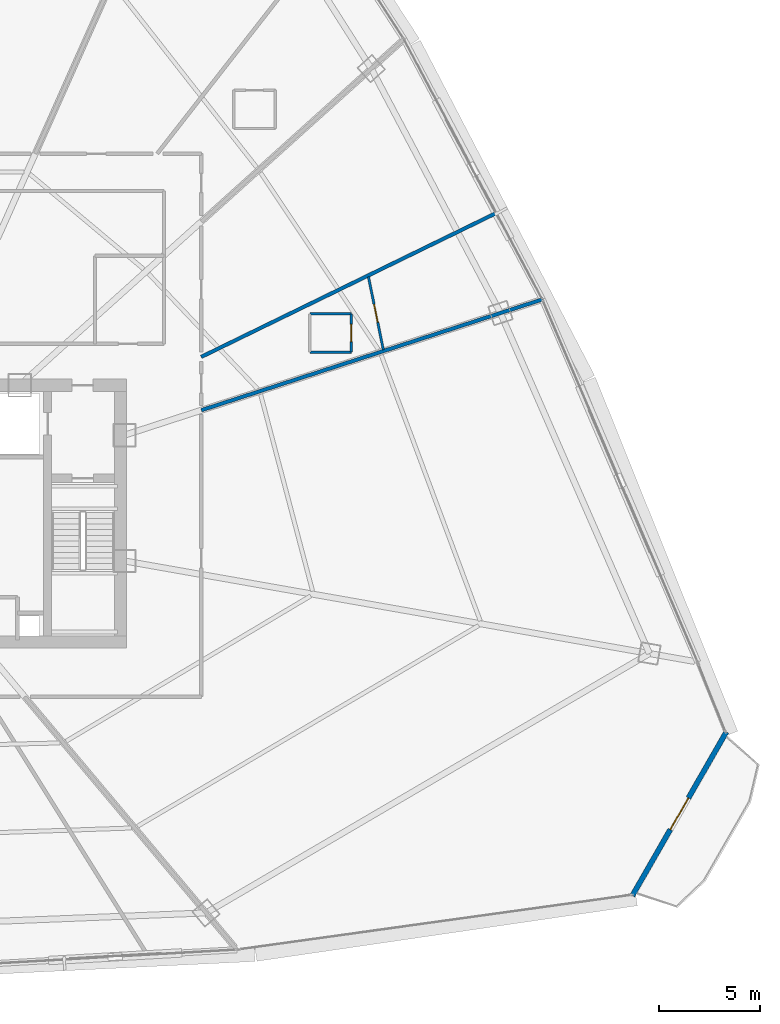
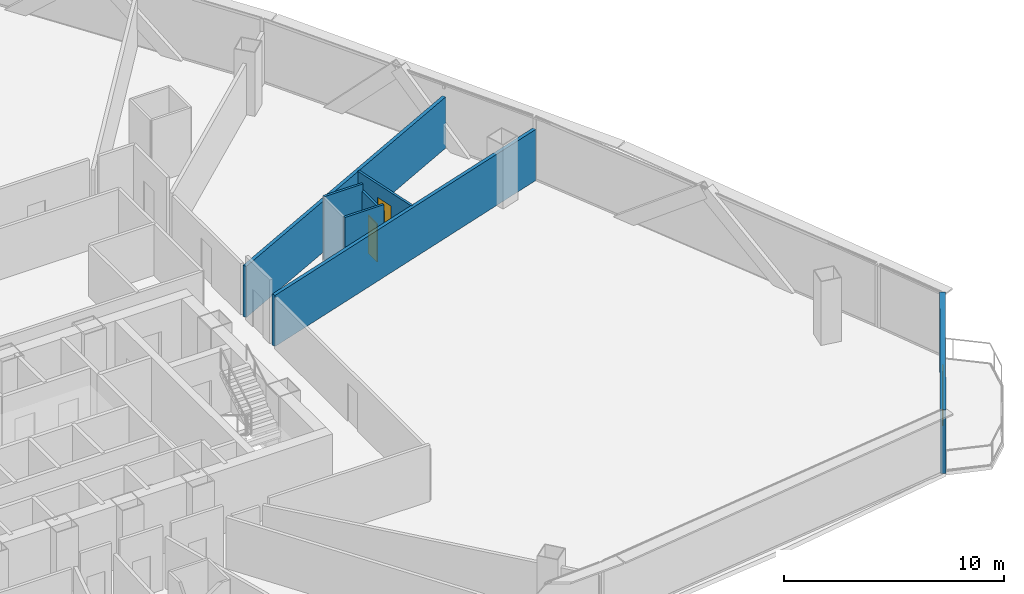
# One storey, part 32 of 37: 7 walls, 3 doors, 3 openings.
"""IFC4 building model written with IfcOpenShell, lengths in metres."""

from ifc_helpers import new_model, si_unit, direction, frame, frame_2d, origin, origin_with_axes, place, context, subcontext, project, spatial, rectangle, extrude, source, transform, mapped, material, layer, layer_set, type_object, element, fill, save


model = new_model("IFC4")

# Units and contexts
model_context = context("Model", 3, precision=1e-05, world=origin(), true_north=direction((0.0, 1.0)))
body_context = subcontext(model_context, "Body", "Model", "MODEL_VIEW")
ifc_project = project(units=[si_unit("LENGTHUNIT", "METRE"), si_unit("AREAUNIT", "SQUARE_METRE"), si_unit("VOLUMEUNIT", "CUBIC_METRE"), si_unit("PLANEANGLEUNIT", "RADIAN"), si_unit("MASSUNIT", "GRAM", prefix="KILO"), si_unit("THERMODYNAMICTEMPERATUREUNIT", "KELVIN"), si_unit("POWERUNIT", "WATT")], contexts=[model_context])

# Site, building, storey
site_placement = place(None, origin())
site = spatial("IfcSite", under=ifc_project, at=site_placement, CompositionType="ELEMENT")
building_placement = place(site_placement, origin())
building = spatial("IfcBuilding", under=site, at=building_placement, Name="Yunzhuo Pagoda Commons", CompositionType="ELEMENT")
storey_placement = place(building_placement, frame((0.0, 0.0, 84.97998046875)))
storey = spatial("IfcBuildingStorey", under=building, at=storey_placement, Name="L21", CompositionType="ELEMENT", Elevation=84.97998046875)

# Wall, opening, door
ifc_material_1 = material(Name="Precast concrete C40", Category="concrete")
ifc_layer_1 = layer(ifc_material_1, 0.260009765625)
ifc_layer_set_1 = layer_set([ifc_layer_1], Name="Precast concrete C40")
wall_type_1 = type_object("IfcWallType", Name="W-BAL1 Corner Balcony Threshold Wall 260", PredefinedType="STANDARD", material=ifc_layer_set_1)
wall_1_placement = place(storey_placement, frame((85.510009765625, 14.963134765625, 0.0), z_axis=(0.0, 0.0, 1.0), x_axis=(0.497922114025, 0.867221752705, 0.0)))
wall_1 = element("IfcWall", 1, at=wall_1_placement, inside=storey, type_object=wall_type_1, Name="L21 corner balcony wall V2", PredefinedType="STANDARD", context=body_context, shape_type="SweptSolid", body=[
    extrude(rectangle(XDim=9.342529296875, YDim=0.260009765625, at=frame_2d((4.67138671875, 0.0))), origin(), (0.0, 0.0, 1.0), 3.5400390625),
])
opening_1_placement = place(wall_1_placement, frame((3.771240234375, 0.0, 0.0)))
opening_1 = element("IfcOpeningElement", 2, at=opening_1_placement, cuts=wall_1, Name="Opening D-BAL1", PredefinedType="OPENING", context=body_context, shape_type="SweptSolid", body=[
    extrude(rectangle(XDim=1.800048828125, YDim=2.14990234375, at=frame_2d((0.89990234375, 1.074951171875))), frame((0.0, 0.14013671875, 0.0), z_axis=(0.0, -1.0, 0.0), x_axis=(1.0, 0.0, 0.0)), (0.0, 0.0, 1.0), 0.280029296875),
])
ifc_material_2 = material(Name="Anodized aluminium frame and tempered glazed leaf", Category="aluminium")
door_type_1 = type_object("IfcDoorType", Name="D-BAL1 Corner Balcony Sliding Glazed Door 1800x2150", OperationType="DOUBLE_DOOR_SLIDING", PredefinedType="DOOR", material=ifc_material_2)
shared_shape_1 = source(origin(), body_context, "Body", "SweptSolid", [
    extrude(rectangle(XDim=1.800048828125, YDim=2.14990234375, at=frame_2d((0.89990234375, 1.074951171875))), frame((0.0, 0.02490234375, 0.0), z_axis=(0.0, -1.0, 0.0), x_axis=(1.0, 0.0, 0.0)), (0.0, 0.0, 1.0), 0.050048828125),
])
door_1_placement = place(opening_1_placement, origin_with_axes())
door_1 = element("IfcDoor", 3, at=door_1_placement, inside=storey, type_object=door_type_1, Name="L21 corner balcony sliding door V2", OperationType="DOUBLE_DOOR_SLIDING", OverallHeight=2.14990234375, OverallWidth=1.800048828125, PredefinedType="DOOR", context=body_context, shape_type="MappedRepresentation", body=[
    mapped(shared_shape_1, transform((0.0, 0.0, 0.0), scale=1.0)),
])
fill(opening_1, door_1)

# Wall
ifc_material_3 = material(Name="Gypsum plasterboard on acoustic stud")
ifc_layer_2 = layer(ifc_material_3, 0.1201171875)
ifc_layer_set_2 = layer_set([ifc_layer_2], Name="Gypsum plasterboard on acoustic stud")
wall_type_2 = type_object("IfcWallType", Name="W-PRT1 Suite & Bathroom Partition 120", PredefinedType="PARTITIONING", material=ifc_layer_set_2)
wall_2_placement = place(storey_placement, frame((69.571044921875, 41.833984375, 0.0), z_axis=(0.0, 0.0, 1.0), x_axis=(1.0, 0.0, 0.0)))
element("IfcWall", 4, at=wall_2_placement, inside=storey, type_object=wall_type_2, Name="L21 interior wall IW-L21-B01S", PredefinedType="PARTITIONING", context=body_context, shape_type="SweptSolid", body=[
    extrude(rectangle(XDim=2.050048828125, YDim=0.1201171875, at=frame_2d((1.02490234375, 0.0))), origin(), (0.0, 0.0, 1.0), 3.5400390625),
])

# Wall, opening, door
wall_3_placement = place(storey_placement, frame((71.62109375, 41.833984375, 0.0), z_axis=(0.0, 0.0, 1.0), x_axis=(0.0, 1.0, 0.0)))
wall_3 = element("IfcWall", 5, at=wall_3_placement, inside=storey, type_object=wall_type_2, Name="L21 interior wall IW-L21-B01E", PredefinedType="PARTITIONING", context=body_context, shape_type="SweptSolid", body=[
    extrude(rectangle(XDim=1.89990234375, YDim=0.1201171875, at=frame_2d((0.949951171875, 0.0))), origin(), (0.0, 0.0, 1.0), 3.14013671875),
])
opening_2_placement = place(wall_3_placement, frame((0.52490234375, 0.0, 0.0)))
opening_2 = element("IfcOpeningElement", 6, at=opening_2_placement, cuts=wall_3, Name="Opening D-05", PredefinedType="OPENING", context=body_context, shape_type="SweptSolid", body=[
    extrude(rectangle(XDim=0.85009765625, YDim=2.10009765625, at=frame_2d((0.425048828125, 1.050048828125))), frame((0.0, 0.070068359375, 0.0), z_axis=(0.0, -1.0, 0.0), x_axis=(1.0, 0.0, 0.0)), (0.0, 0.0, 1.0), 0.14013671875),
])
ifc_material_4 = material(Name="Powder-coated aluminium and timber acoustic leaf", Category="wood")
door_type_2 = type_object("IfcDoorType", Name="D-05 En-Suite Bathroom Door 850x2100", OperationType="NOTDEFINED", PredefinedType="DOOR", material=ifc_material_4)
shared_shape_2 = source(origin(), body_context, "Body", "SweptSolid", [
    extrude(rectangle(XDim=0.85009765625, YDim=2.10009765625, at=frame_2d((0.425048828125, 1.050048828125))), frame((0.0, 0.02490234375, 0.0), z_axis=(0.0, -1.0, 0.0), x_axis=(1.0, 0.0, 0.0)), (0.0, 0.0, 1.0), 0.050048828125),
])
door_2_placement = place(opening_2_placement, frame((0.85009765625, 0.0, 0.0), z_axis=(0.0, 0.0, 1.0), x_axis=(-1.0, 0.0, 0.0)))
door_2 = element("IfcDoor", 7, at=door_2_placement, inside=storey, type_object=door_type_2, Name="L21 unit 01 bathroom door", OperationType="SINGLE_SWING_LEFT", OverallHeight=2.10009765625, OverallWidth=0.85009765625, PredefinedType="DOOR", context=body_context, shape_type="MappedRepresentation", body=[
    mapped(shared_shape_2, transform((0.0, 0.0, 0.0), scale=1.0)),
])
fill(opening_2, door_2)

# Wall
wall_4_placement = place(storey_placement, frame((71.62109375, 43.73388671875, 0.0), z_axis=(0.0, 0.0, 1.0), x_axis=(-1.0, 0.0, 0.0)))
element("IfcWall", 8, at=wall_4_placement, inside=storey, type_object=wall_type_2, Name="L21 interior wall IW-L21-B01N", PredefinedType="PARTITIONING", context=body_context, shape_type="SweptSolid", body=[
    extrude(rectangle(XDim=2.050048828125, YDim=0.1201171875, at=frame_2d((1.02490234375, 0.0))), origin(), (0.0, 0.0, 1.0), 3.5400390625),
])

# Wall, opening, door
wall_5_placement = place(storey_placement, frame((73.199951171875, 41.950927734375, 0.0), z_axis=(0.0, 0.0, 1.0), x_axis=(-0.199717476268, 0.979853524601, 0.0)))
wall_5 = element("IfcWall", 9, at=wall_5_placement, inside=storey, type_object=wall_type_2, Name="L21 interior wall IW-L21-CLB01", PredefinedType="PARTITIONING", context=body_context, shape_type="SweptSolid", body=[
    extrude(rectangle(XDim=3.68798828125, YDim=0.1201171875, at=frame_2d((1.843994140625, 0.0))), origin(), (0.0, 0.0, 1.0), 2.840087890625),
])
opening_3_placement = place(wall_5_placement, frame((1.384033203125, 0.0, 0.0)))
opening_3 = element("IfcOpeningElement", 10, at=opening_3_placement, cuts=wall_5, Name="Opening D-04", PredefinedType="OPENING", context=body_context, shape_type="SweptSolid", body=[
    extrude(rectangle(XDim=0.919921875, YDim=2.10009765625, at=frame_2d((0.4599609375, 1.050048828125))), frame((0.0, 0.070068359375, 0.0), z_axis=(0.0, -1.0, 0.0), x_axis=(1.0, 0.0, 0.0)), (0.0, 0.0, 1.0), 0.14013671875),
])
door_type_3 = type_object("IfcDoorType", Name="D-04 Bedroom & Study Interior Door 920x2100", OperationType="NOTDEFINED", PredefinedType="DOOR", material=ifc_material_4)
shared_shape_3 = source(origin(), body_context, "Body", "SweptSolid", [
    extrude(rectangle(XDim=0.919921875, YDim=2.10009765625, at=frame_2d((0.4599609375, 1.050048828125))), frame((0.0, 0.02490234375, 0.0), z_axis=(0.0, -1.0, 0.0), x_axis=(1.0, 0.0, 0.0)), (0.0, 0.0, 1.0), 0.050048828125),
])
door_3_placement = place(opening_3_placement, origin_with_axes())
door_3 = element("IfcDoor", 11, at=door_3_placement, inside=storey, type_object=door_type_3, Name="L21 suite 01 bedroom door", OperationType="SINGLE_SWING_LEFT", OverallHeight=2.10009765625, OverallWidth=0.919921875, PredefinedType="DOOR", context=body_context, shape_type="MappedRepresentation", body=[
    mapped(shared_shape_3, transform((0.0, 0.0, 0.0), scale=1.0)),
])
fill(opening_3, door_3)

# Walls
ifc_layer_3 = layer(ifc_material_3, 0.179931640625)
ifc_layer_set_3 = layer_set([ifc_layer_3], Name="Gypsum plasterboard on acoustic stud")
wall_type_3 = type_object("IfcWallType", Name="W-PRT2 Acoustic Unit Demising Wall 180", PredefinedType="PARTITIONING", material=ifc_layer_set_3)
wall_6_placement = place(storey_placement, frame((64.199951171875, 38.963623046875, 0.0), z_axis=(0.0, 0.0, 1.0), x_axis=(0.951054301474, 0.309023810812, 0.0)))
element("IfcWall", 12, at=wall_6_placement, inside=storey, type_object=wall_type_3, Name="L21 interior wall IW-L21-RAD01", PredefinedType="PARTITIONING", context=body_context, shape_type="SweptSolid", body=[
    extrude(rectangle(XDim=17.733154296875, YDim=0.179931640625, at=frame_2d((8.86669921875, 0.0))), origin(), (0.0, 0.0, 1.0), 2.840087890625),
])
wall_7_placement = place(storey_placement, frame((64.199951171875, 41.601318359375, 0.0), z_axis=(0.0, 0.0, 1.0), x_axis=(0.898796049991, 0.438367038588, 0.0)))
element("IfcWall", 13, at=wall_7_placement, inside=storey, type_object=wall_type_3, Name="L21 interior wall IW-L21-RAD02", PredefinedType="PARTITIONING", context=body_context, shape_type="SweptSolid", body=[
    extrude(rectangle(XDim=16.234130859375, YDim=0.179931640625, at=frame_2d((8.1171875, 0.0))), origin(), (0.0, 0.0, 1.0), 2.840087890625),
])

save(model, "model.ifc")
